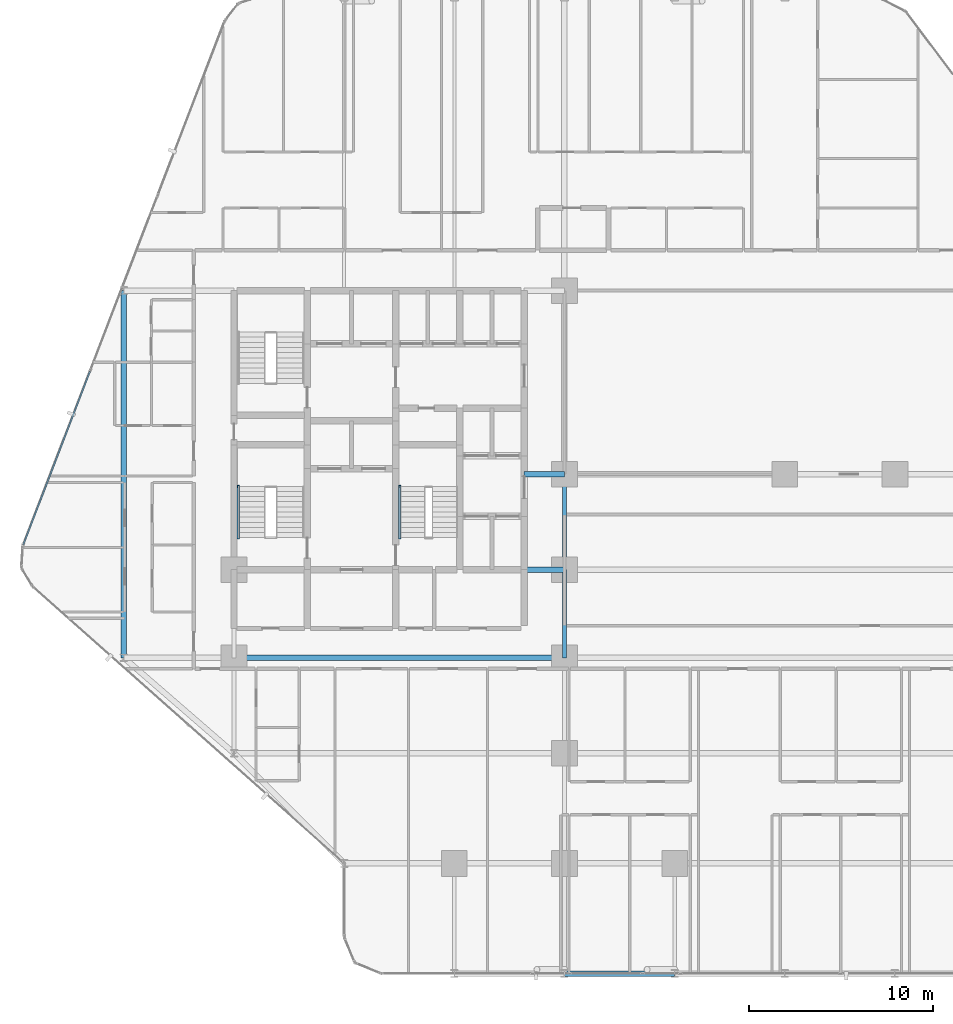
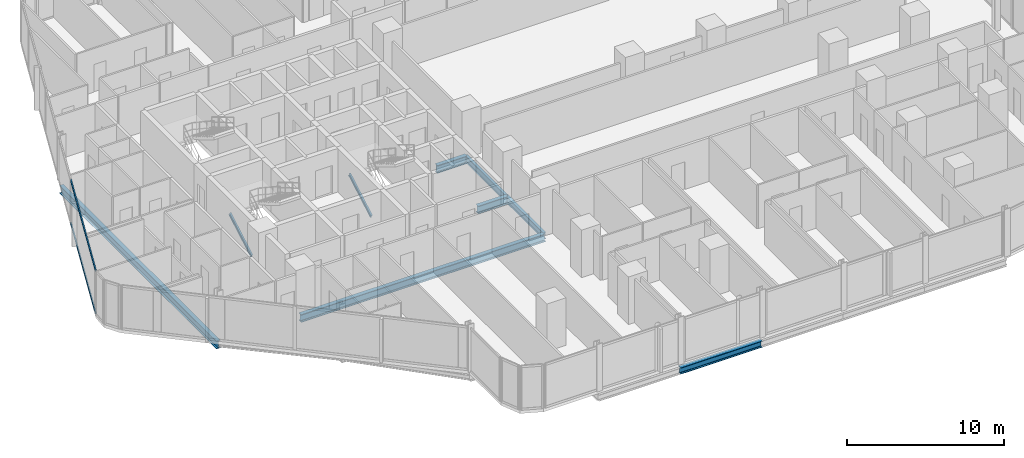
# One storey, part 6 of 34: 7 beams, 4 members, 1 element without a shape of its own.
"""IFC4 building model written with IfcOpenShell, lengths in metres."""

import ifcopenshell
import ifcopenshell.guid

model = None  # the IFC model being written
_history = None  # IfcOwnerHistory: only IFC2X3 demands one
_inside = {}  # id of a spatial element -> (the spatial element, [elements in it])
_under = {}  # id of a project, library or spatial element -> (it, [spatial elements below it])
_declared = {}  # id of a project -> (the project, [libraries it declares])
_typed = {}  # id of a type object -> (the type object, [elements of that type])
_made_of = {}  # id of a material, layer set ... -> (it, [elements and type objects made of it])


def new_model(schema):
    """Start an empty IFC model of exactly this schema.

    Asked for "IFC4X3", IfcOpenShell would pick the latest addendum, in which some entities
    have other attributes; the version numbers below select the first issue.
    IFC2X3 requires an IfcOwnerHistory on every rooted entity: one is made here for all.
    """
    global model, _history
    if schema == "IFC4X3":
        model = ifcopenshell.file(schema_version=(4, 3, 0, 0))
    else:
        model = ifcopenshell.file(schema=schema)
    _inside.clear()
    _under.clear()
    _declared.clear()
    _typed.clear()
    _made_of.clear()
    _history = None
    if model.schema == "IFC2X3":
        org = make("IfcOrganization", Name="unknown")
        user = make(
            "IfcPersonAndOrganization",
            ThePerson=make("IfcPerson", FamilyName="unknown"),
            TheOrganization=org,
        )
        app = make(
            "IfcApplication",
            ApplicationDeveloper=org,
            Version="unknown",
            ApplicationFullName="unknown",
            ApplicationIdentifier="unknown",
        )
        _history = make(
            "IfcOwnerHistory",
            OwningUser=user,
            OwningApplication=app,
            ChangeAction="ADDED",
            CreationDate=0,
        )
    return model


def make(cls, **values):
    """One entity of the class cls with the attributes given. An attribute that is None is left unset."""
    return model.create_entity(
        cls, **{name: value for name, value in values.items() if value is not None}
    )


def rooted(cls, **values):
    """An entity with a GlobalId (a new one), such as an element, a storey or a relation."""
    return make(cls, GlobalId=ifcopenshell.guid.new(), OwnerHistory=_history, **values)


def si_unit(unit_type, name, prefix=None):
    """IfcSIUnit, for example si_unit("LENGTHUNIT", "METRE", prefix="MILLI")."""
    return make("IfcSIUnit", UnitType=unit_type, Prefix=prefix, Name=name)


def assignment(units):
    """IfcUnitAssignment: the units of a project."""
    return None if units is None else make("IfcUnitAssignment", Units=units)


def point(xyz):
    """IfcCartesianPoint."""
    return None if xyz is None else make("IfcCartesianPoint", Coordinates=xyz)


def direction(xyz):
    """IfcDirection."""
    return None if xyz is None else make("IfcDirection", DirectionRatios=xyz)


def frame(location, z_axis=None, x_axis=None):
    """IfcAxis2Placement3D, a coordinate frame: its origin and axes. An axis left out is left unset."""
    return make(
        "IfcAxis2Placement3D",
        Location=point(location),
        Axis=direction(z_axis),
        RefDirection=direction(x_axis),
    )


def frame_2d(location, x_axis=None):
    """IfcAxis2Placement2D, a coordinate frame in the plane: its origin and x axis."""
    return make(
        "IfcAxis2Placement2D", Location=point(location), RefDirection=direction(x_axis)
    )


def origin():
    """The frame at (0, 0, 0) with its axes left unset."""
    return frame((0.0, 0.0, 0.0))


def origin_2d():
    """The frame at (0, 0) in the plane with its x axis left unset."""
    return frame_2d((0.0, 0.0))


def place(relative_to, where):
    """IfcLocalPlacement: puts the frame where relative to a parent placement (None: the world)."""
    return make(
        "IfcLocalPlacement", PlacementRelTo=relative_to, RelativePlacement=where
    )


def context(
    kind, dimensions, precision=None, world=None, true_north=None, identifier=None
):
    """IfcGeometricRepresentationContext, for example the 3D "Model" context."""
    return make(
        "IfcGeometricRepresentationContext",
        ContextIdentifier=identifier,
        ContextType=kind,
        CoordinateSpaceDimension=dimensions,
        Precision=precision,
        WorldCoordinateSystem=world,
        TrueNorth=true_north,
    )


def subcontext(parent, identifier, kind, view, scale=None):
    """IfcGeometricRepresentationSubContext, for example "Body" below "Model"."""
    return make(
        "IfcGeometricRepresentationSubContext",
        ContextIdentifier=identifier,
        ContextType=kind,
        ParentContext=parent,
        TargetScale=scale,
        TargetView=view,
    )


def project(units=None, contexts=None):
    """IfcProject with its units and contexts."""
    return rooted(
        "IfcProject",
        Name="project",
        RepresentationContexts=contexts,
        UnitsInContext=assignment(units),
    )


def spatial(cls, under=None, at=None, **own):
    """A site, building, storey or space (cls), placed at a placement, below another one or the project."""
    s = rooted(cls, ObjectPlacement=at, **own)
    if under is not None:
        _under.setdefault(under.id(), (under, []))[1].append(s)
    return s


def profile(cls, at=None, kind="AREA", **sizes):
    """A parametric profile (cls). Its sizes go by their IFC names, for example OverallWidth=200.0."""
    return make(cls, ProfileType=kind, Position=at, **sizes)


def hollow_rectangle(**sizes):
    """IfcRectangleHollowProfileDef."""
    return profile("IfcRectangleHollowProfileDef", **sizes)


def i_section(**sizes):
    """IfcIShapeProfileDef."""
    return profile("IfcIShapeProfileDef", **sizes)


def extrude(swept, where, along, depth):
    """IfcExtrudedAreaSolid: the profile swept, set in the frame where, extruded along a direction by depth."""
    return make(
        "IfcExtrudedAreaSolid",
        SweptArea=swept,
        Position=where,
        ExtrudedDirection=direction(along),
        Depth=depth,
    )


def shape(context_of_items, identifier, shape_type, items):
    """IfcShapeRepresentation: the items that make up one representation, for example the "Body"."""
    return make(
        "IfcShapeRepresentation",
        ContextOfItems=context_of_items,
        RepresentationIdentifier=identifier,
        RepresentationType=shape_type,
        Items=items,
    )


def material(Name=None, Category=None):
    """IfcMaterial."""
    return make("IfcMaterial", Name=Name, Category=Category)


def layer(
    of_material, thickness, ventilated=None, Name=None, Category=None, Priority=None
):
    """IfcMaterialLayer: one layer of a wall or slab, of a material (None: an air gap)."""
    return make(
        "IfcMaterialLayer",
        Material=of_material,
        LayerThickness=thickness,
        IsVentilated=ventilated,
        Name=Name,
        Category=Category,
        Priority=Priority,
    )


def layer_set(layers, Name=None):
    """IfcMaterialLayerSet."""
    return make("IfcMaterialLayerSet", MaterialLayers=layers, LayerSetName=Name)


def material_profile(
    of_material, cross_section, Name=None, Category=None, Priority=None
):
    """IfcMaterialProfile: a cross section and its material."""
    return make(
        "IfcMaterialProfile",
        Name=Name,
        Material=of_material,
        Profile=cross_section,
        Priority=Priority,
        Category=Category,
    )


def profile_set(profiles, Name=None, composite=None):
    """IfcMaterialProfileSet."""
    return make(
        "IfcMaterialProfileSet",
        Name=Name,
        MaterialProfiles=profiles,
        CompositeProfile=composite,
    )


def made_of(thing, what):
    """Note that an element or type object is made of a material, layer set ...; save() writes the relation."""
    if what is not None:
        _made_of.setdefault(what.id(), (what, []))[1].append(thing)
    return thing


def type_object(cls, material=None, **own):
    """A type object (cls), such as IfcWallType, which elements share."""
    return made_of(rooted(cls, **own), material)


def element(
    cls,
    number,
    at=None,
    inside=None,
    cuts=None,
    type_object=None,
    material=None,
    context=None,
    identifier="Body",
    shape_type=None,
    held_by="IfcProductDefinitionShape",
    body=None,
    shapes=None,
    **own,
):
    """One element of the class cls, such as IfcWall. Its Tag is "e" and its number.

    at: its placement. inside: the storey or other place that contains it. cuts: it is an
    opening in that element (IfcRelVoidsElement). A single representation is given by context,
    identifier, shape_type and body (its items); several are given by shapes. held_by: the class
    of the entity that holds the representations. save() writes the other relations.
    """
    e = rooted(cls, Tag="e%d" % number, ObjectPlacement=at, **own)
    if body is not None:
        shapes = [shape(context, identifier, shape_type, body)]
    if shapes is not None:
        e.Representation = make(held_by, Representations=shapes)
    if inside is not None:
        _inside.setdefault(inside.id(), (inside, []))[1].append(e)
    if cuts is not None:
        rooted(
            "IfcRelVoidsElement", RelatingBuildingElement=cuts, RelatedOpeningElement=e
        )
    if type_object is not None:
        _typed.setdefault(type_object.id(), (type_object, []))[1].append(e)
    return made_of(e, material)


def aggregate(whole, parts):
    """IfcRelAggregates: a whole, such as a stair, and the parts it consists of."""
    return rooted("IfcRelAggregates", RelatingObject=whole, RelatedObjects=parts)


def save(model, path):
    """Write the relations noted so far, then the file.

    IfcRelAggregates (storeys below a building ...), IfcRelContainedInSpatialStructure (elements
    in a storey), IfcRelDefinesByType, IfcRelAssociatesMaterial and IfcRelDeclares: one each for
    every whole, place, type object, material and project.
    """
    for whole, parts in _under.values():
        aggregate(whole, parts)
    for where, things in _inside.values():
        rooted(
            "IfcRelContainedInSpatialStructure",
            RelatedElements=things,
            RelatingStructure=where,
        )
    for kind, things in _typed.values():
        rooted("IfcRelDefinesByType", RelatedObjects=things, RelatingType=kind)
    for what, things in _made_of.values():
        rooted("IfcRelAssociatesMaterial", RelatedObjects=things, RelatingMaterial=what)
    for by, libraries in _declared.values():
        rooted("IfcRelDeclares", RelatingContext=by, RelatedDefinitions=libraries)
    model.write(path)


model = new_model("IFC4")

# Units and contexts
model_context = context("Model", 3, precision=1e-05, world=origin(), true_north=direction((0.0, 1.0)))
body_context = subcontext(model_context, "Body", "Model", "MODEL_VIEW")
ifc_project = project(units=[si_unit("LENGTHUNIT", "METRE"), si_unit("AREAUNIT", "SQUARE_METRE"), si_unit("VOLUMEUNIT", "CUBIC_METRE"), si_unit("PLANEANGLEUNIT", "RADIAN"), si_unit("MASSUNIT", "GRAM", prefix="KILO")], contexts=[model_context])

# Site, building, storey
site_placement = place(None, origin())
site = spatial("IfcSite", under=ifc_project, at=site_placement, CompositionType="ELEMENT")
building_placement = place(site_placement, origin())
building = spatial("IfcBuilding", under=site, at=building_placement, Name="Keshet Zoharim Tower", CompositionType="ELEMENT")
storey_placement = place(building_placement, frame((0.0, 0.0, 46.199951171875)))
storey = spatial("IfcBuildingStorey", under=building, at=storey_placement, Name="L10", CompositionType="ELEMENT", Elevation=46.199951171875)

# Beams
ifc_material_1 = material(Name="Steel S355", Category="steel")
ifc_material_profile_1 = material_profile(ifc_material_1, i_section(OverallWidth=0.300048828125, OverallDepth=0.60009765625, WebThickness=0.015380859375, FlangeThickness=0.030029296875, FilletRadius=0.027099609375, at=origin_2d()), Name="HEB600")
ifc_profile_set_1 = profile_set([ifc_material_profile_1], Name="Steel S355")
beam_type_1 = type_object("IfcBeamType", Name="BM-CLK-HB600", PredefinedType="BEAM", material=ifc_profile_set_1)
for number, where, z_axis, x_axis, name in (
    (1, (30.800048828125, 22.699951171875, -0.614990234375), (1.0, 0.0, 0.0), (0.0, 1.0, 0.0), "L10 Core Wall Link Girder 01"),
    (2, (30.800048828125, 27.89990234375, -0.614990234375), (1.0, 0.0, 0.0), (0.0, 1.0, 0.0), "L10 Core Wall Link Girder 02"),
):
    element("IfcBeam", number, at=place(storey_placement, frame(where, z_axis=z_axis, x_axis=x_axis)), inside=storey, type_object=beam_type_1, Name=name, PredefinedType="BEAM", context=body_context, shape_type="SweptSolid", body=[
        extrude(i_section(OverallWidth=0.300048828125, OverallDepth=0.60009765625, WebThickness=0.015380859375, FlangeThickness=0.030029296875, FilletRadius=0.027099609375, at=origin_2d()), origin(), (0.0, 0.0, 1.0), 2.199951171875),
    ])
ifc_material_profile_2 = material_profile(ifc_material_1, i_section(OverallWidth=0.300048828125, OverallDepth=0.60009765625, WebThickness=0.015380859375, FlangeThickness=0.030029296875, FilletRadius=0.027099609375, at=origin_2d()), Name="HEB600")
ifc_profile_set_2 = profile_set([ifc_material_profile_2], Name="Steel S355")
beam_type_2 = type_object("IfcBeamType", Name="BM-LNG-HB600", PredefinedType="BEAM", material=ifc_profile_set_2)
beam_1_placement = place(storey_placement, frame((15.0, 17.89990234375, -0.614990234375), z_axis=(1.0, 0.0, 0.0), x_axis=(0.0, 1.0, 0.0)))
element("IfcBeam", 3, at=beam_1_placement, inside=storey, type_object=beam_type_2, Name="L10 Primary Girder X-016", PredefinedType="BEAM", context=body_context, shape_type="SweptSolid", body=[
    extrude(i_section(OverallWidth=0.300048828125, OverallDepth=0.60009765625, WebThickness=0.015380859375, FlangeThickness=0.030029296875, FilletRadius=0.027099609375, at=origin_2d()), origin(), (0.0, 0.0, 1.0), 18.0),
])
beam_2_placement = place(storey_placement, frame((9.0, 17.89990234375, -0.614990234375), z_axis=(0.0, 1.0, 0.0), x_axis=(-1.0, 0.0, 0.0)))
element("IfcBeam", 4, at=beam_2_placement, inside=storey, type_object=beam_type_2, Name="L10 Primary Girder Y-001", PredefinedType="BEAM", context=body_context, shape_type="SweptSolid", body=[
    extrude(i_section(OverallWidth=0.300048828125, OverallDepth=0.60009765625, WebThickness=0.015380859375, FlangeThickness=0.030029296875, FilletRadius=0.027099609375, at=origin_2d()), origin(), (0.0, 0.0, 1.0), 20.0),
])
ifc_material_profile_3 = material_profile(ifc_material_1, i_section(OverallWidth=0.199951171875, OverallDepth=0.5, WebThickness=0.01025390625, FlangeThickness=0.01611328125, FilletRadius=0.02099609375, at=origin_2d()), Name="IPE500")
ifc_profile_set_3 = profile_set([ifc_material_profile_3], Name="Steel S355")
beam_type_3 = type_object("IfcBeamType", Name="BM-PRI-IP500", PredefinedType="BEAM", material=ifc_profile_set_3)
beam_3_placement = place(storey_placement, frame((33.0, 17.89990234375, -0.56494140625), z_axis=(0.0, 1.0, 0.0), x_axis=(-1.0, 0.0, 0.0)))
element("IfcBeam", 5, at=beam_3_placement, inside=storey, type_object=beam_type_3, Name="L10 Primary Girder Y-008", PredefinedType="BEAM", context=body_context, shape_type="SweptSolid", body=[
    extrude(i_section(OverallWidth=0.199951171875, OverallDepth=0.5, WebThickness=0.01025390625, FlangeThickness=0.01611328125, FilletRadius=0.02099609375, at=origin_2d()), origin(), (0.0, 0.0, 1.0), 4.800048828125),
])
beam_4_placement = place(storey_placement, frame((33.0, 22.699951171875, -0.56494140625), z_axis=(0.0, 1.0, 0.0), x_axis=(-1.0, 0.0, 0.0)))
element("IfcBeam", 6, at=beam_4_placement, inside=storey, type_object=beam_type_3, Name="L10 Primary Girder Y-009", PredefinedType="BEAM", context=body_context, shape_type="SweptSolid", body=[
    extrude(i_section(OverallWidth=0.199951171875, OverallDepth=0.5, WebThickness=0.01025390625, FlangeThickness=0.01611328125, FilletRadius=0.02099609375, at=origin_2d()), origin(), (0.0, 0.0, 1.0), 5.199951171875),
])
ifc_material_profile_4 = material_profile(ifc_material_1, i_section(OverallWidth=0.300048828125, OverallDepth=0.5, WebThickness=0.014404296875, FlangeThickness=0.028076171875, FilletRadius=0.027099609375, at=origin_2d()), Name="HEB500")
ifc_profile_set_4 = profile_set([ifc_material_profile_4], Name="Steel S355")
beam_type_4 = type_object("IfcBeamType", Name="BM-WEB-HB500", PredefinedType="BEAM", material=ifc_profile_set_4)
beam_5_placement = place(storey_placement, frame((33.0, 0.699951171875, -0.56494140625), z_axis=(1.0, 0.0, 0.0), x_axis=(0.0, 1.0, 0.0)))
element("IfcBeam", 7, at=beam_5_placement, inside=storey, type_object=beam_type_4, Name="L10 Primary Girder X-002", PredefinedType="BEAM", context=body_context, shape_type="SweptSolid", body=[
    extrude(i_section(OverallWidth=0.300048828125, OverallDepth=0.5, WebThickness=0.014404296875, FlangeThickness=0.028076171875, FilletRadius=0.027099609375, at=origin_2d()), origin(), (0.0, 0.0, 1.0), 6.0),
])

# Curtain wall, members
ifc_material_2 = material(Name="Aluminium 6063-T6", Category="aluminium")
ifc_layer = layer(ifc_material_2, 0.179931640625)
ifc_layer_set = layer_set([ifc_layer], Name="Aluminium 6063-T6")
curtain_wall_type = type_object("IfcCurtainWallType", Name="CW-SYS-01", PredefinedType="NOTDEFINED", material=ifc_layer_set)
curtain_wall_placement = place(storey_placement, origin())
curtain_wall = element("IfcCurtainWall", 8, at=curtain_wall_placement, inside=storey, type_object=curtain_wall_type, Name="L10 Unitised Curtain Wall 04", PredefinedType="NOTDEFINED")
ifc_material_profile_5 = material_profile(ifc_material_2, hollow_rectangle(XDim=0.0849609375, YDim=0.159912109375, WallThickness=0.00439453125, at=origin_2d()), Name="TRN-85x160")
ifc_profile_set_5 = profile_set([ifc_material_profile_5], Name="Aluminium 6063-T6")
member_type_1 = type_object("IfcMemberType", Name="CWT-T16", PredefinedType="USERDEFINED", material=ifc_profile_set_5)
member_1_placement = place(storey_placement, frame((3.522216796875, 24.058349609375, 0.03515625), z_axis=(0.358993631387, 0.93334000912, 0.0), x_axis=(-0.93334000912, 0.358993631387, 0.0)))
member_1 = element("IfcMember", 9, at=member_1_placement, type_object=member_type_1, Name="CW-01 transom 1.1", ObjectType="TRANSOM", PredefinedType="USERDEFINED", context=body_context, shape_type="SweptSolid", body=[
    extrude(hollow_rectangle(XDim=0.0849609375, YDim=0.159912109375, WallThickness=0.00439453125, at=origin_2d()), origin(), (0.0, 0.0, 1.0), 10.1181640625),
])
member_2_placement = place(storey_placement, frame((3.522216796875, 24.058349609375, 3.35009765625), z_axis=(0.358993631387, 0.93334000912, 0.0), x_axis=(-0.93334000912, 0.358993631387, 0.0)))
member_2 = element("IfcMember", 10, at=member_2_placement, type_object=member_type_1, Name="CW-01 transom 1.2", ObjectType="TRANSOM", PredefinedType="USERDEFINED", context=body_context, shape_type="SweptSolid", body=[
    extrude(hollow_rectangle(XDim=0.0849609375, YDim=0.159912109375, WallThickness=0.00439453125, at=origin_2d()), origin(), (0.0, 0.0, 1.0), 10.1181640625),
])
aggregate(curtain_wall, [member_1, member_2])

# Members
ifc_material_profile_6 = material_profile(ifc_material_1, i_section(OverallWidth=0.1201171875, OverallDepth=0.239990234375, WebThickness=0.006103515625, FlangeThickness=0.009765625, FilletRadius=0.014892578125, at=origin_2d()), Name="IPE240")
ifc_profile_set_6 = profile_set([ifc_material_profile_6], Name="Steel S355")
member_type_2 = type_object("IfcMemberType", Name="MB-STRG-IP240", PredefinedType="STRINGER", material=ifc_profile_set_6)
for number, where, z_axis, x_axis, name in (
    (11, (15.22998046875, 24.43994140625, 0.1201171875), (0.0, 0.866928350432, 0.498432779035), (-1.0, 0.0, 0.0), "L10 ST-01 Flight Steel Stringer"),
    (12, (24.030029296875, 24.43994140625, 0.1201171875), (0.0, 0.866928350432, 0.498432779035), (-1.0, 0.0, 0.0), "L10 ST-03 Flight Steel Stringer"),
):
    element("IfcMember", number, at=place(storey_placement, frame(where, z_axis=z_axis, x_axis=x_axis)), inside=storey, type_object=member_type_2, Name=name, PredefinedType="STRINGER", context=body_context, shape_type="SweptSolid", body=[
        extrude(i_section(OverallWidth=0.1201171875, OverallDepth=0.239990234375, WebThickness=0.006103515625, FlangeThickness=0.009765625, FilletRadius=0.014892578125, at=origin_2d()), origin(), (0.0, 0.0, 1.0), 3.229736328125),
    ])

save(model, "model.ifc")
